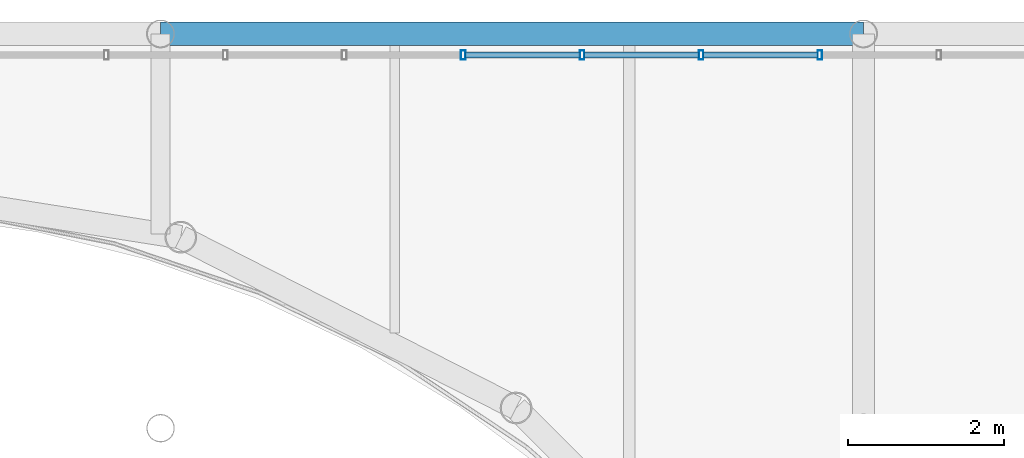
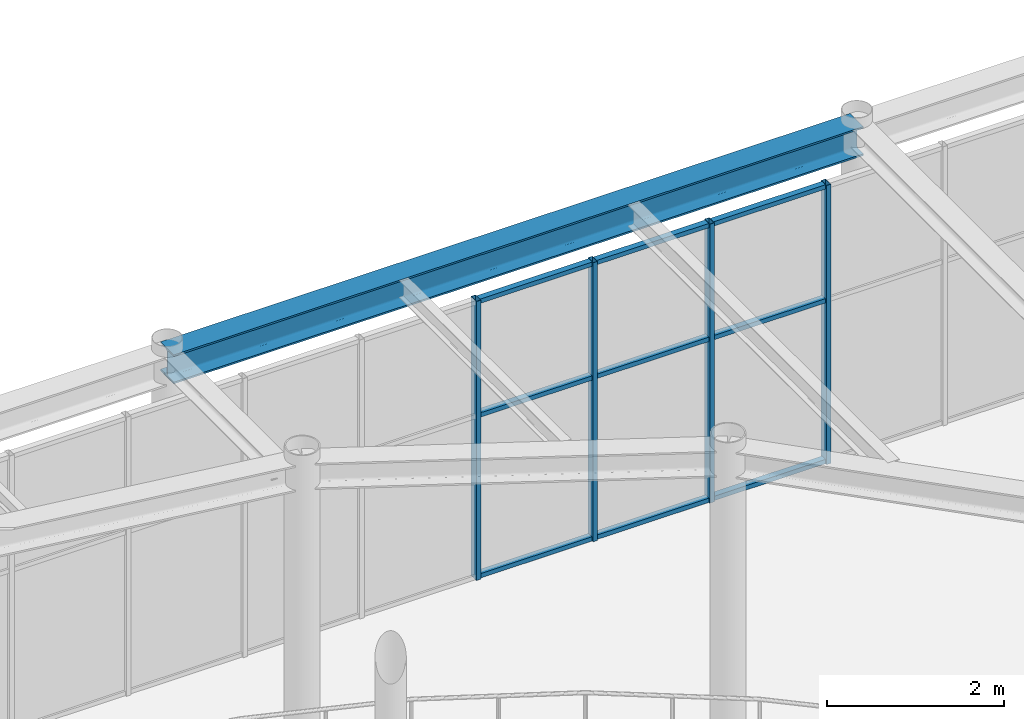
# One storey, part 49 of 111: 13 members, 1 beam, 1 element without a shape of its own.
"""IFC4 building model written with IfcOpenShell, lengths in metres."""

from ifc_helpers import new_model, si_unit, direction, frame, origin, origin_2d, place, context, subcontext, project, spatial, hollow_rectangle, i_section, extrude, material, layer, layer_set, material_profile, profile_set, type_object, element, aggregate, save


model = new_model("IFC4")

# Units and contexts
model_context = context("Model", 3, precision=1e-05, world=origin(), true_north=direction((0.0, 1.0)))
body_context = subcontext(model_context, "Body", "Model", "MODEL_VIEW")
ifc_project = project(units=[si_unit("LENGTHUNIT", "METRE"), si_unit("AREAUNIT", "SQUARE_METRE"), si_unit("VOLUMEUNIT", "CUBIC_METRE"), si_unit("PLANEANGLEUNIT", "RADIAN"), si_unit("MASSUNIT", "GRAM", prefix="KILO")], contexts=[model_context])

# Site, building, storey
site_placement = place(None, origin())
site = spatial("IfcSite", under=ifc_project, at=site_placement, CompositionType="ELEMENT")
building_placement = place(site_placement, origin())
building = spatial("IfcBuilding", under=site, at=building_placement, Name="Kallimachos Central Library", CompositionType="ELEMENT")
storey_placement = place(building_placement, frame((0.0, 0.0, 14.39990234375)))
storey = spatial("IfcBuildingStorey", under=building, at=storey_placement, Name="L03", CompositionType="ELEMENT", Elevation=14.39990234375)

# Curtain wall, members
ifc_material_1 = material(Name="Anodised aluminium and laminated glass", Category="aluminium")
ifc_layer = layer(ifc_material_1, 0.159912109375)
ifc_layer_set = layer_set([ifc_layer], Name="Glass box curtain wall")
curtain_wall_type = type_object("IfcCurtainWallType", Name="Glass box curtain wall", PredefinedType="NOTDEFINED", material=ifc_layer_set)
curtain_wall_placement = place(storey_placement, origin())
curtain_wall = element("IfcCurtainWall", 1, at=curtain_wall_placement, inside=storey, type_object=curtain_wall_type, Name="Glass box curtain wall N L03", PredefinedType="NOTDEFINED")
ifc_material_2 = material(Name="Anodised aluminium", Category="aluminium")
ifc_material_profile_1 = material_profile(ifc_material_2, hollow_rectangle(XDim=0.06005859375, YDim=0.1201171875, WallThickness=0.00390625, at=origin_2d()), Name="ALU MULLION 60x120")
ifc_profile_set_1 = profile_set([ifc_material_profile_1], Name="Anodised aluminium")
member_type_1 = type_object("IfcMemberType", Name="Glass box mullion 60x120", PredefinedType="MULLION", material=ifc_profile_set_1)
member_1_placement = place(storey_placement, frame((96.375244140625, 121.3798828125, 0.0), z_axis=(0.0, 0.0, 1.0), x_axis=(1.0, 0.0, 0.0)))
member_1 = element("IfcMember", 2, at=member_1_placement, type_object=member_type_1, Name="CW27 mullion 21", PredefinedType="MULLION", context=body_context, shape_type="SweptSolid", body=[
    extrude(hollow_rectangle(XDim=0.06005859375, YDim=0.1201171875, WallThickness=0.00390625, at=origin_2d()), origin(), (0.0, 0.0, 1.0), 3.85009765625),
])
member_2_placement = place(storey_placement, frame((97.89794921875, 121.3798828125, 0.0), z_axis=(0.0, 0.0, 1.0), x_axis=(1.0, 0.0, 0.0)))
member_2 = element("IfcMember", 3, at=member_2_placement, type_object=member_type_1, Name="CW27 mullion 22", PredefinedType="MULLION", context=body_context, shape_type="SweptSolid", body=[
    extrude(hollow_rectangle(XDim=0.06005859375, YDim=0.1201171875, WallThickness=0.00390625, at=origin_2d()), origin(), (0.0, 0.0, 1.0), 3.85009765625),
])
member_3_placement = place(storey_placement, frame((99.420654296875, 121.3798828125, 0.0), z_axis=(0.0, 0.0, 1.0), x_axis=(1.0, 0.0, 0.0)))
member_3 = element("IfcMember", 4, at=member_3_placement, type_object=member_type_1, Name="CW27 mullion 23", PredefinedType="MULLION", context=body_context, shape_type="SweptSolid", body=[
    extrude(hollow_rectangle(XDim=0.06005859375, YDim=0.1201171875, WallThickness=0.00390625, at=origin_2d()), origin(), (0.0, 0.0, 1.0), 3.85009765625),
])
member_4_placement = place(storey_placement, frame((100.943359375, 121.3798828125, 0.0), z_axis=(0.0, 0.0, 1.0), x_axis=(1.0, 0.0, 0.0)))
member_4 = element("IfcMember", 5, at=member_4_placement, type_object=member_type_1, Name="CW27 mullion 24", PredefinedType="MULLION", context=body_context, shape_type="SweptSolid", body=[
    extrude(hollow_rectangle(XDim=0.06005859375, YDim=0.1201171875, WallThickness=0.00390625, at=origin_2d()), origin(), (0.0, 0.0, 1.0), 3.85009765625),
])
ifc_material_3 = material(Name="Anodised aluminium", Category="aluminium")
ifc_material_profile_2 = material_profile(ifc_material_3, hollow_rectangle(XDim=0.06005859375, YDim=0.080078125, WallThickness=0.00390625, at=origin_2d()), Name="ALU TRANSOM 60x80")
ifc_profile_set_2 = profile_set([ifc_material_profile_2], Name="Anodised aluminium")
member_type_2 = type_object("IfcMemberType", Name="Glass box transom 60x80", PredefinedType="USERDEFINED", material=ifc_profile_set_2)
member_5_placement = place(storey_placement, frame((96.4052734375, 121.3798828125, 0.030029296875), z_axis=(1.0, 0.0, 0.0), x_axis=(0.0, 0.0, 1.0)))
member_5 = element("IfcMember", 6, at=member_5_placement, type_object=member_type_2, Name="CW27 transom 21.1", ObjectType="TRANSOM", PredefinedType="USERDEFINED", context=body_context, shape_type="SweptSolid", body=[
    extrude(hollow_rectangle(XDim=0.06005859375, YDim=0.080078125, WallThickness=0.00390625, at=origin_2d()), origin(), (0.0, 0.0, 1.0), 1.462646484375),
])
member_6_placement = place(storey_placement, frame((96.4052734375, 121.3798828125, 2.25), z_axis=(1.0, 0.0, 0.0), x_axis=(0.0, 0.0, 1.0)))
member_6 = element("IfcMember", 7, at=member_6_placement, type_object=member_type_2, Name="CW27 transom 21.2", ObjectType="TRANSOM", PredefinedType="USERDEFINED", context=body_context, shape_type="SweptSolid", body=[
    extrude(hollow_rectangle(XDim=0.06005859375, YDim=0.080078125, WallThickness=0.00390625, at=origin_2d()), origin(), (0.0, 0.0, 1.0), 1.462646484375),
])
member_7_placement = place(storey_placement, frame((96.4052734375, 121.3798828125, 3.820068359375), z_axis=(1.0, 0.0, 0.0), x_axis=(0.0, 0.0, 1.0)))
member_7 = element("IfcMember", 8, at=member_7_placement, type_object=member_type_2, Name="CW27 transom 21.3", ObjectType="TRANSOM", PredefinedType="USERDEFINED", context=body_context, shape_type="SweptSolid", body=[
    extrude(hollow_rectangle(XDim=0.06005859375, YDim=0.080078125, WallThickness=0.00390625, at=origin_2d()), origin(), (0.0, 0.0, 1.0), 1.462646484375),
])
member_8_placement = place(storey_placement, frame((97.927978515625, 121.3798828125, 0.030029296875), z_axis=(1.0, 0.0, 0.0), x_axis=(0.0, 0.0, 1.0)))
member_8 = element("IfcMember", 9, at=member_8_placement, type_object=member_type_2, Name="CW27 transom 22.1", ObjectType="TRANSOM", PredefinedType="USERDEFINED", context=body_context, shape_type="SweptSolid", body=[
    extrude(hollow_rectangle(XDim=0.06005859375, YDim=0.080078125, WallThickness=0.00390625, at=origin_2d()), origin(), (0.0, 0.0, 1.0), 1.462646484375),
])
member_9_placement = place(storey_placement, frame((97.927978515625, 121.3798828125, 2.25), z_axis=(1.0, 0.0, 0.0), x_axis=(0.0, 0.0, 1.0)))
member_9 = element("IfcMember", 10, at=member_9_placement, type_object=member_type_2, Name="CW27 transom 22.2", ObjectType="TRANSOM", PredefinedType="USERDEFINED", context=body_context, shape_type="SweptSolid", body=[
    extrude(hollow_rectangle(XDim=0.06005859375, YDim=0.080078125, WallThickness=0.00390625, at=origin_2d()), origin(), (0.0, 0.0, 1.0), 1.462646484375),
])
member_10_placement = place(storey_placement, frame((97.927978515625, 121.3798828125, 3.820068359375), z_axis=(1.0, 0.0, 0.0), x_axis=(0.0, 0.0, 1.0)))
member_10 = element("IfcMember", 11, at=member_10_placement, type_object=member_type_2, Name="CW27 transom 22.3", ObjectType="TRANSOM", PredefinedType="USERDEFINED", context=body_context, shape_type="SweptSolid", body=[
    extrude(hollow_rectangle(XDim=0.06005859375, YDim=0.080078125, WallThickness=0.00390625, at=origin_2d()), origin(), (0.0, 0.0, 1.0), 1.462646484375),
])
member_11_placement = place(storey_placement, frame((99.45068359375, 121.3798828125, 0.030029296875), z_axis=(1.0, 0.0, 0.0), x_axis=(0.0, 0.0, 1.0)))
member_11 = element("IfcMember", 12, at=member_11_placement, type_object=member_type_2, Name="CW27 transom 23.1", ObjectType="TRANSOM", PredefinedType="USERDEFINED", context=body_context, shape_type="SweptSolid", body=[
    extrude(hollow_rectangle(XDim=0.06005859375, YDim=0.080078125, WallThickness=0.00390625, at=origin_2d()), origin(), (0.0, 0.0, 1.0), 1.462646484375),
])
member_12_placement = place(storey_placement, frame((99.45068359375, 121.3798828125, 2.25), z_axis=(1.0, 0.0, 0.0), x_axis=(0.0, 0.0, 1.0)))
member_12 = element("IfcMember", 13, at=member_12_placement, type_object=member_type_2, Name="CW27 transom 23.2", ObjectType="TRANSOM", PredefinedType="USERDEFINED", context=body_context, shape_type="SweptSolid", body=[
    extrude(hollow_rectangle(XDim=0.06005859375, YDim=0.080078125, WallThickness=0.00390625, at=origin_2d()), origin(), (0.0, 0.0, 1.0), 1.462646484375),
])
member_13_placement = place(storey_placement, frame((99.45068359375, 121.3798828125, 3.820068359375), z_axis=(1.0, 0.0, 0.0), x_axis=(0.0, 0.0, 1.0)))
member_13 = element("IfcMember", 14, at=member_13_placement, type_object=member_type_2, Name="CW27 transom 23.3", ObjectType="TRANSOM", PredefinedType="USERDEFINED", context=body_context, shape_type="SweptSolid", body=[
    extrude(hollow_rectangle(XDim=0.06005859375, YDim=0.080078125, WallThickness=0.00390625, at=origin_2d()), origin(), (0.0, 0.0, 1.0), 1.462646484375),
])
aggregate(curtain_wall, [member_1, member_2, member_3, member_4, member_5, member_6, member_7, member_8, member_9, member_10, member_11, member_12, member_13])

# Beam
ifc_material_4 = material(Name="Steel S355J2", Category="steel")
ifc_material_profile_3 = material_profile(ifc_material_4, i_section(OverallWidth=0.300048828125, OverallDepth=0.39990234375, WebThickness=0.013427734375, FlangeThickness=0.02392578125, FilletRadius=0.027099609375, at=origin_2d()), Name="HEB 400")
ifc_profile_set_3 = profile_set([ifc_material_profile_3], Name="Steel S355J2")
beam_type = type_object("IfcBeamType", Name="HEB 400 beam", PredefinedType="BEAM", material=ifc_profile_set_3)
beam_placement = place(storey_placement, frame((92.5, 121.64990234375, 4.150146484375), z_axis=(1.0, 0.0, 0.0), x_axis=(0.0, 1.0, 0.0)))
element("IfcBeam", 15, at=beam_placement, inside=storey, type_object=beam_type, Name="V1-BEM-L03-047", PredefinedType="BEAM", context=body_context, shape_type="SweptSolid", body=[
    extrude(i_section(OverallWidth=0.300048828125, OverallDepth=0.39990234375, WebThickness=0.013427734375, FlangeThickness=0.02392578125, FilletRadius=0.027099609375, at=origin_2d()), origin(), (0.0, 0.0, 1.0), 9.0),
])

save(model, "model.ifc")
